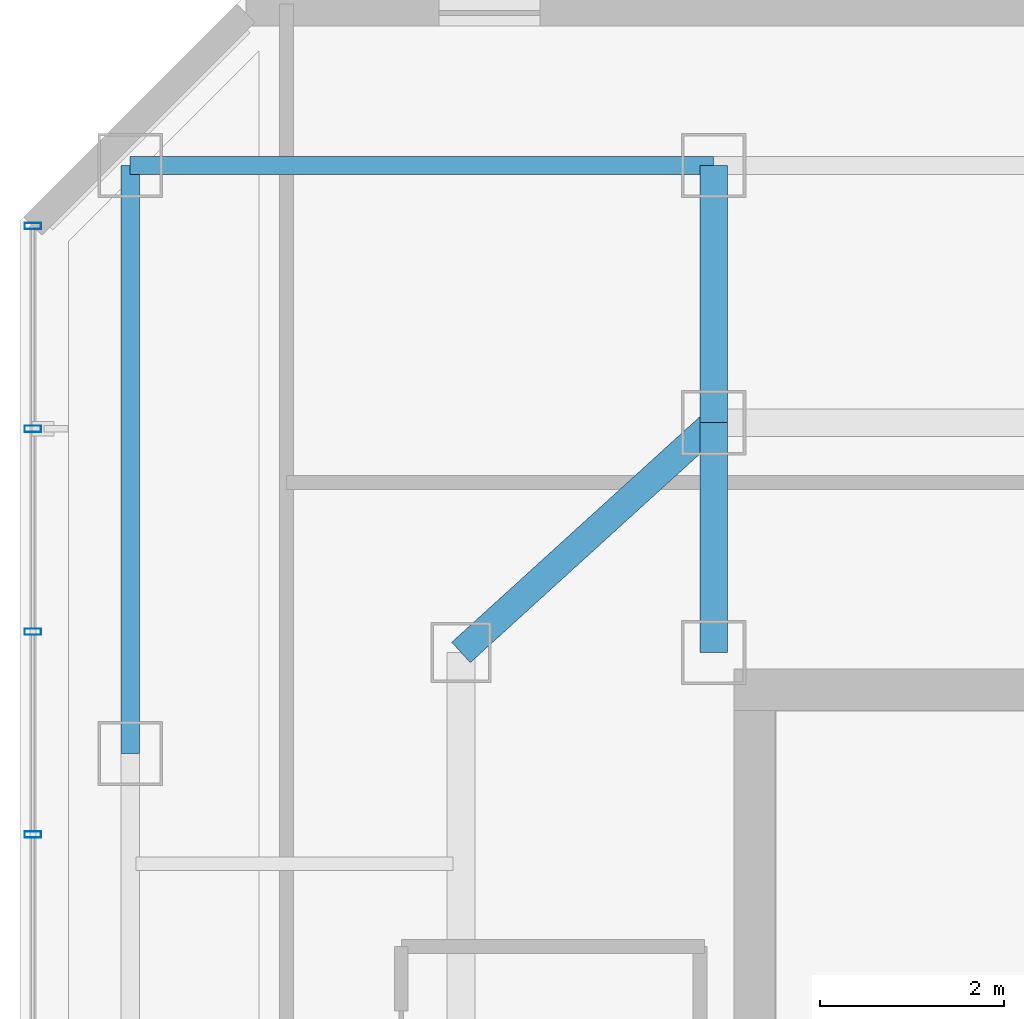
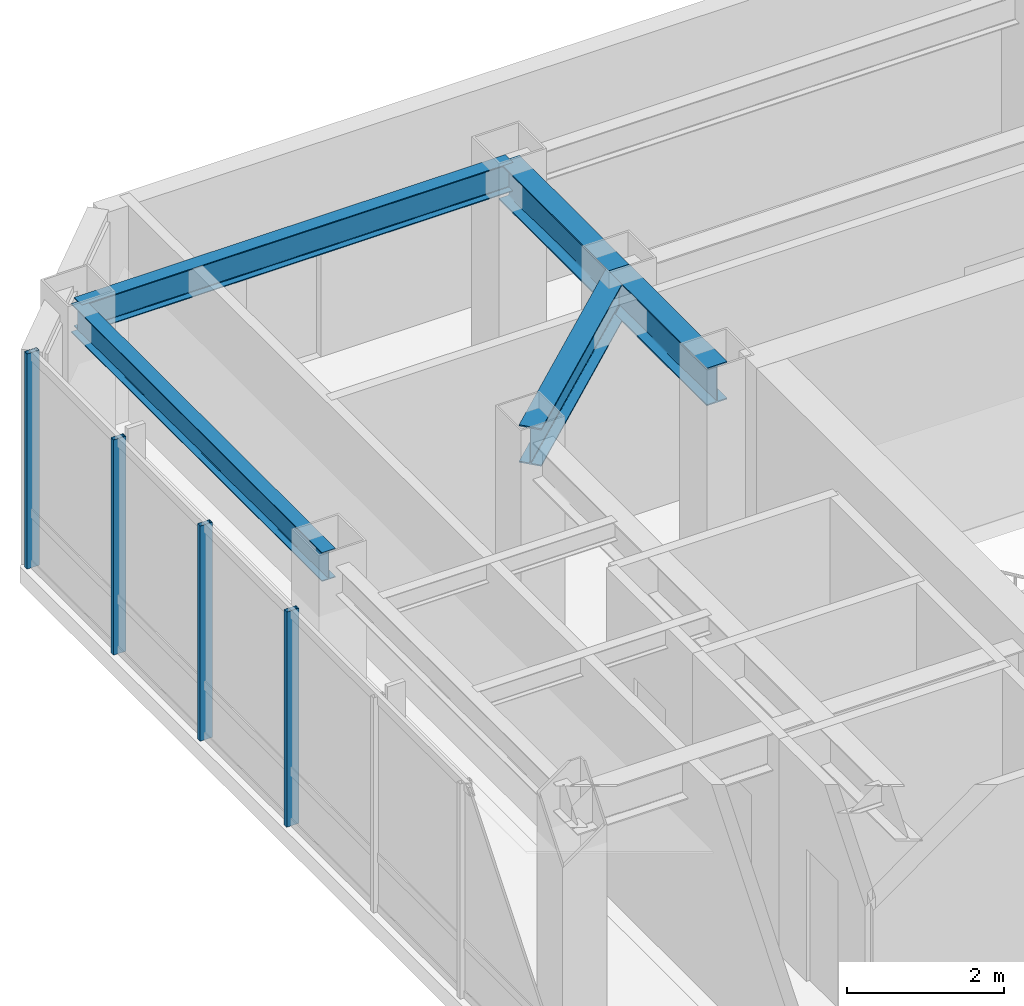
# One storey, part 15 of 25: 5 beams, 4 members, 1 element without a shape of its own.
"""IFC4 building model written with IfcOpenShell, lengths in metres."""

from ifc_helpers import new_model, si_unit, direction, frame, origin, origin_2d, place, context, subcontext, project, spatial, hollow_rectangle, i_section, extrude, material, layer, layer_set, material_profile, profile_set, type_object, element, aggregate, save


model = new_model("IFC4")

# Units and contexts
model_context = context("Model", 3, precision=1e-05, world=origin(), true_north=direction((0.0, 1.0)))
body_context = subcontext(model_context, "Body", "Model", "MODEL_VIEW")
ifc_project = project(units=[si_unit("LENGTHUNIT", "METRE"), si_unit("AREAUNIT", "SQUARE_METRE"), si_unit("VOLUMEUNIT", "CUBIC_METRE"), si_unit("PLANEANGLEUNIT", "RADIAN"), si_unit("MASSUNIT", "GRAM", prefix="KILO")], contexts=[model_context])

# Site, building, storey
site_placement = place(None, origin())
site = spatial("IfcSite", under=ifc_project, at=site_placement, CompositionType="ELEMENT")
building_placement = place(site_placement, origin())
building = spatial("IfcBuilding", under=site, at=building_placement, Name="Hatsunagi Terrace Concourse", CompositionType="ELEMENT")
storey_placement = place(building_placement, frame((0.0, 0.0, 220.35009765625)))
storey = spatial("IfcBuildingStorey", under=building, at=storey_placement, Name="L58", CompositionType="ELEMENT", Elevation=220.35009765625)

# Curtain wall, members
ifc_material_1 = material(Name="Anodised Aluminium Alloy 6063-T5", Category="aluminium")
ifc_layer = layer(ifc_material_1, 0.199951171875)
ifc_layer_set = layer_set([ifc_layer], Name="OfficeZone2_CW04")
curtain_wall_type = type_object("IfcCurtainWallType", Name="OfficeZone2_CW04", PredefinedType="NOTDEFINED", material=ifc_layer_set)
curtain_wall_placement = place(storey_placement, origin())
curtain_wall = element("IfcCurtainWall", 1, at=curtain_wall_placement, inside=storey, type_object=curtain_wall_type, Name="Unitised Curtain Wall CW-04 CW-L58-08", PredefinedType="NOTDEFINED")
ifc_material_2 = material(Name="Anodised Aluminium Alloy 6063-T5", Category="aluminium")
ifc_material_profile_1 = material_profile(ifc_material_2, hollow_rectangle(XDim=0.070068359375, YDim=0.179931640625, WallThickness=0.00390625, at=origin_2d()), Name="ALU-MUL-180x70x4")
ifc_profile_set_1 = profile_set([ifc_material_profile_1], Name="Anodised Aluminium Alloy 6063-T5")
member_type = type_object("IfcMemberType", Name="CurtainWallMullion_180x70", PredefinedType="MULLION", material=ifc_profile_set_1)
member_1_placement = place(storey_placement, frame((18.139892578125, 41.31689453125, 0.0), z_axis=(0.0, 0.0, 1.0), x_axis=(0.0, 1.0, 0.0)))
member_1 = element("IfcMember", 2, at=member_1_placement, type_object=member_type, Name="Curtain Wall Mullion MUL-02", PredefinedType="MULLION", context=body_context, shape_type="SweptSolid", body=[
    extrude(hollow_rectangle(XDim=0.070068359375, YDim=0.179931640625, WallThickness=0.00390625, at=origin_2d()), origin(), (0.0, 0.0, 1.0), 3.349853515625),
])
member_2_placement = place(storey_placement, frame((18.139892578125, 43.52490234375, 0.0), z_axis=(0.0, 0.0, 1.0), x_axis=(0.0, 1.0, 0.0)))
member_2 = element("IfcMember", 3, at=member_2_placement, type_object=member_type, Name="Curtain Wall Mullion MUL-02", PredefinedType="MULLION", context=body_context, shape_type="SweptSolid", body=[
    extrude(hollow_rectangle(XDim=0.070068359375, YDim=0.179931640625, WallThickness=0.00390625, at=origin_2d()), origin(), (0.0, 0.0, 1.0), 3.349853515625),
])
member_3_placement = place(storey_placement, frame((18.139892578125, 45.73388671875, 0.0), z_axis=(0.0, 0.0, 1.0), x_axis=(0.0, 1.0, 0.0)))
member_3 = element("IfcMember", 4, at=member_3_placement, type_object=member_type, Name="Curtain Wall Mullion MUL-02", PredefinedType="MULLION", context=body_context, shape_type="SweptSolid", body=[
    extrude(hollow_rectangle(XDim=0.070068359375, YDim=0.179931640625, WallThickness=0.00390625, at=origin_2d()), origin(), (0.0, 0.0, 1.0), 3.349853515625),
])
member_4_placement = place(storey_placement, frame((18.139892578125, 47.94189453125, 0.0), z_axis=(0.0, 0.0, 1.0), x_axis=(0.0, 1.0, 0.0)))
member_4 = element("IfcMember", 5, at=member_4_placement, type_object=member_type, Name="Curtain Wall Mullion MUL-02", PredefinedType="MULLION", context=body_context, shape_type="SweptSolid", body=[
    extrude(hollow_rectangle(XDim=0.070068359375, YDim=0.179931640625, WallThickness=0.00390625, at=origin_2d()), origin(), (0.0, 0.0, 1.0), 3.349853515625),
])
aggregate(curtain_wall, [member_1, member_2, member_3, member_4])

# Beams
ifc_material_3 = material(Name="Steel SN490B", Category="steel")
ifc_material_profile_2 = material_profile(ifc_material_3, i_section(OverallWidth=0.300048828125, OverallDepth=0.587890625, WebThickness=0.011962890625, FlangeThickness=0.02001953125, FilletRadius=0.01806640625, at=origin_2d()), Name="H-588x300x12x20")
ifc_profile_set_2 = profile_set([ifc_material_profile_2], Name="Steel SN490B")
beam_type_1 = type_object("IfcBeamType", Name="OfficeHighGirder_H_588x300", PredefinedType="BEAM", material=ifc_profile_set_2)
beam_1_placement = place(storey_placement, frame((25.550048828125, 43.300048828125, 3.055908203125), z_axis=(0.0, 1.0, 0.0), x_axis=(-1.0, 0.0, 0.0)))
element("IfcBeam", 6, at=beam_1_placement, inside=storey, type_object=beam_type_1, Name="Beam G-06 BM-L58-CN1", PredefinedType="BEAM", context=body_context, shape_type="SweptSolid", body=[
    extrude(i_section(OverallWidth=0.300048828125, OverallDepth=0.587890625, WebThickness=0.011962890625, FlangeThickness=0.02001953125, FilletRadius=0.01806640625, at=origin_2d()), origin(), (0.0, 0.0, 1.0), 2.5),
])
beam_2_placement = place(storey_placement, frame((25.550048828125, 45.800048828125, 3.055908203125), z_axis=(0.0, 1.0, 0.0), x_axis=(-1.0, 0.0, 0.0)))
element("IfcBeam", 7, at=beam_2_placement, inside=storey, type_object=beam_type_1, Name="Beam G-06 BM-L58-KN-WN4", PredefinedType="BEAM", context=body_context, shape_type="SweptSolid", body=[
    extrude(i_section(OverallWidth=0.300048828125, OverallDepth=0.587890625, WebThickness=0.011962890625, FlangeThickness=0.02001953125, FilletRadius=0.01806640625, at=origin_2d()), origin(), (0.0, 0.0, 1.0), 2.800048828125),
])
beam_3_placement = place(storey_placement, frame((22.800048828125, 43.300048828125, 3.055908203125), z_axis=(0.739940073396, 0.672672793996, 0.0), x_axis=(-0.672672793996, 0.739940073396, 0.0)))
element("IfcBeam", 8, at=beam_3_placement, inside=storey, type_object=beam_type_1, Name="Beam G-06 BM-L58-CWEW-N", PredefinedType="BEAM", context=body_context, shape_type="SweptSolid", body=[
    extrude(i_section(OverallWidth=0.300048828125, OverallDepth=0.587890625, WebThickness=0.011962890625, FlangeThickness=0.02001953125, FilletRadius=0.01806640625, at=origin_2d()), origin(), (0.0, 0.0, 1.0), 3.716552734375),
])
ifc_material_4 = material(Name="Steel SN490B", Category="steel")
ifc_material_profile_3 = material_profile(ifc_material_4, i_section(OverallWidth=0.199951171875, OverallDepth=0.449951171875, WebThickness=0.009033203125, FlangeThickness=0.013916015625, FilletRadius=0.01611328125, at=origin_2d()), Name="H-450x200x9x14")
ifc_profile_set_3 = profile_set([ifc_material_profile_3], Name="Steel SN490B")
beam_type_2 = type_object("IfcBeamType", Name="PerimeterSpandrel_H_450x200", PredefinedType="SPANDREL", material=ifc_profile_set_3)
beam_4_placement = place(storey_placement, frame((19.199951171875, 48.60009765625, 3.125), z_axis=(1.0, 0.0, 0.0), x_axis=(0.0, 1.0, 0.0)))
element("IfcBeam", 9, at=beam_4_placement, inside=storey, type_object=beam_type_2, Name="Beam SP-02 BM-L58-WN-19", PredefinedType="SPANDREL", context=body_context, shape_type="SweptSolid", body=[
    extrude(i_section(OverallWidth=0.199951171875, OverallDepth=0.449951171875, WebThickness=0.009033203125, FlangeThickness=0.013916015625, FilletRadius=0.01611328125, at=origin_2d()), origin(), (0.0, 0.0, 1.0), 6.35009765625),
])
beam_5_placement = place(storey_placement, frame((19.199951171875, 42.199951171875, 3.125), z_axis=(0.0, 1.0, 0.0), x_axis=(-1.0, 0.0, 0.0)))
element("IfcBeam", 10, at=beam_5_placement, inside=storey, type_object=beam_type_2, Name="Beam SP-02 BM-L58-NS-19-42", PredefinedType="SPANDREL", context=body_context, shape_type="SweptSolid", body=[
    extrude(i_section(OverallWidth=0.199951171875, OverallDepth=0.449951171875, WebThickness=0.009033203125, FlangeThickness=0.013916015625, FilletRadius=0.01611328125, at=origin_2d()), origin(), (0.0, 0.0, 1.0), 6.400146484375),
])

save(model, "model.ifc")
